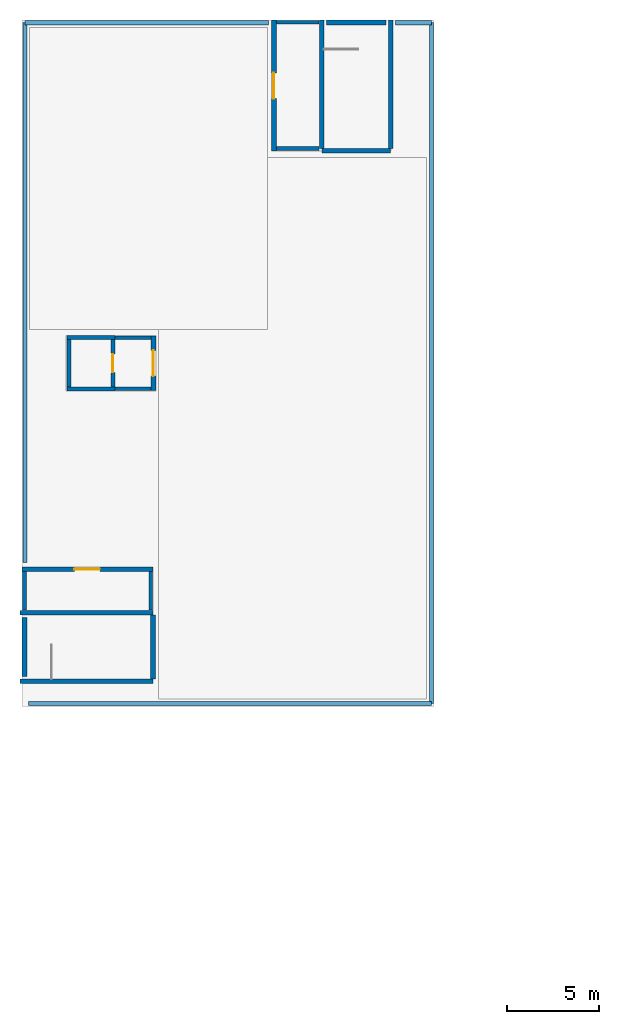
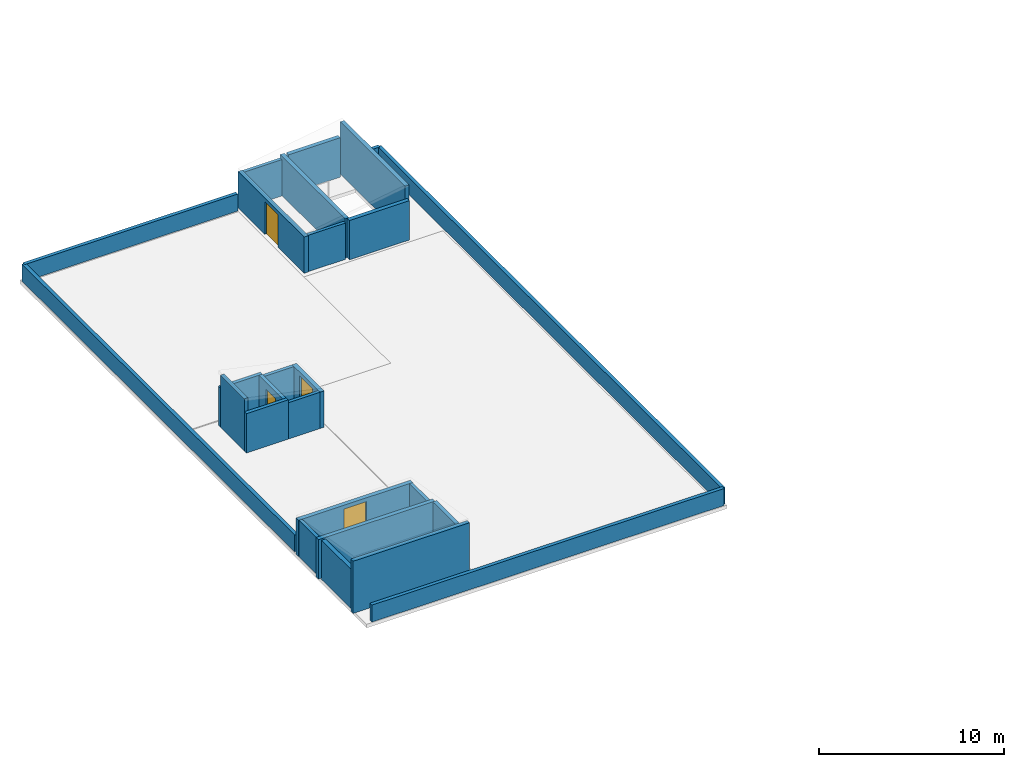
# One storey, part 14 of 17: 26 walls, 4 doors, 4 openings.
"""IFC4 building model written with IfcOpenShell, lengths in metres."""

from ifc_helpers import new_model, si_unit, direction, frame, frame_2d, origin, place, context, subcontext, project, spatial, rectangle, extrude, material, layer, layer_set, type_object, element, fill, save


model = new_model("IFC4")

# Units and contexts
model_context = context("Model", 3, precision=1e-05, world=origin(), true_north=direction((0.0, 1.0)))
body_context = subcontext(model_context, "Body", "Model", "MODEL_VIEW")
ifc_project = project(units=[si_unit("LENGTHUNIT", "METRE"), si_unit("AREAUNIT", "SQUARE_METRE"), si_unit("VOLUMEUNIT", "CUBIC_METRE"), si_unit("PLANEANGLEUNIT", "RADIAN"), si_unit("MASSUNIT", "GRAM", prefix="KILO")], contexts=[model_context])

# Site, building, storey
site_placement = place(None, origin())
site = spatial("IfcSite", under=ifc_project, at=site_placement, CompositionType="ELEMENT")
building_placement = place(site_placement, origin())
building = spatial("IfcBuilding", under=site, at=building_placement, Name="Qasida Concert Hall", CompositionType="ELEMENT")
storey_placement = place(building_placement, frame((0.0, 0.0, 25.199951171875)))
storey = spatial("IfcBuildingStorey", under=building, at=storey_placement, Name="RF", CompositionType="ELEMENT", Elevation=25.199951171875)

# Walls
ifc_material_1 = material(Name="Concrete C40/50", Category="concrete")
ifc_layer_1 = layer(ifc_material_1, 0.219970703125, Name="Concrete C40/50")
ifc_layer_set_1 = layer_set([ifc_layer_1], Name="Concrete C40/50")
wall_type_1 = type_object("IfcWallType", Name="WL-CW-220", PredefinedType="SOLIDWALL", material=ifc_layer_set_1)
for number, where, z_axis, x_axis, name in (
    (1, (2.43994140625, 92.35009765625, 0.0), (0.0, 0.0, 1.0), (1.0, 0.0, 0.0), "RF LF-07 lift shaft wall S"),
    (2, (2.43994140625, 95.14990234375, 0.0), (0.0, 0.0, 1.0), (1.0, 0.0, 0.0), "RF LF-07 lift shaft wall N"),
):
    element("IfcWall", number, at=place(storey_placement, frame(where, z_axis=z_axis, x_axis=x_axis)), inside=storey, type_object=wall_type_1, Name=name, PredefinedType="SOLIDWALL", context=body_context, shape_type="SweptSolid", body=[
        extrude(rectangle(XDim=2.6201171875, YDim=0.219970703125, at=frame_2d((1.31005859375, 0.0))), origin(), (0.0, 0.0, 1.0), 2.60009765625),
    ])
wall_1_placement = place(storey_placement, frame((2.550048828125, 92.4599609375, 0.0), z_axis=(0.0, 0.0, 1.0), x_axis=(0.0, 1.0, 0.0)))
element("IfcWall", 3, at=wall_1_placement, inside=storey, type_object=wall_type_1, Name="RF LF-07 lift shaft wall W", PredefinedType="SOLIDWALL", context=body_context, shape_type="SweptSolid", body=[
    extrude(rectangle(XDim=2.580078125, YDim=0.219970703125, at=frame_2d((1.2900390625, 0.0))), origin(), (0.0, 0.0, 1.0), 3.449951171875),
])

# Wall, opening, door
wall_2_placement = place(storey_placement, frame((4.949951171875, 92.4599609375, 0.0), z_axis=(0.0, 0.0, 1.0), x_axis=(0.0, 1.0, 0.0)))
wall_2 = element("IfcWall", 4, at=wall_2_placement, inside=storey, type_object=wall_type_1, Name="RF LF-07 lift shaft wall E", PredefinedType="SOLIDWALL", context=body_context, shape_type="SweptSolid", body=[
    extrude(rectangle(XDim=2.580078125, YDim=0.219970703125, at=frame_2d((1.2900390625, 0.0))), origin(), (0.0, 0.0, 1.0), 2.60009765625),
])
opening_1_placement = place(wall_2_placement, frame((0.7900390625, 0.0, 0.0)))
opening_1 = element("IfcOpeningElement", 5, at=opening_1_placement, cuts=wall_2, Name="Opening LD-100", PredefinedType="OPENING", context=body_context, shape_type="SweptSolid", body=[
    extrude(rectangle(XDim=1.0, YDim=2.14990234375, at=frame_2d((0.5, 1.074951171875))), frame((0.0, 0.119873046875, 0.0), z_axis=(0.0, -1.0, 0.0), x_axis=(1.0, 0.0, 0.0)), (0.0, 0.0, 1.0), 0.239990234375),
])
ifc_material_2 = material(Name="Brushed bronze passenger lift landing door", Category="steel")
door_type_1 = type_object("IfcDoorType", Name="LD-100", OperationType="SLIDING_TO_LEFT", PredefinedType="DOOR", material=ifc_material_2)
door_1_placement = place(opening_1_placement, origin())
door_1 = element("IfcDoor", 6, at=door_1_placement, inside=storey, type_object=door_type_1, Name="Lift landing door LF-07 RF", OperationType="SLIDING_TO_LEFT", OverallHeight=2.14990234375, OverallWidth=1.0, PredefinedType="DOOR", context=body_context, shape_type="SweptSolid", body=[
    extrude(rectangle(XDim=1.0, YDim=2.14990234375, at=frame_2d((0.5, 1.074951171875))), frame((0.0, 0.02490234375, 0.0), z_axis=(0.0, -1.0, 0.0), x_axis=(1.0, 0.0, 0.0)), (0.0, 0.0, 1.0), 0.050048828125),
])
fill(opening_1, door_1)

# Walls
ifc_layer_2 = layer(ifc_material_1, 0.25, Name="Concrete C40/50")
ifc_layer_set_2 = layer_set([ifc_layer_2], Name="Concrete C40/50")
wall_type_2 = type_object("IfcWallType", Name="WL-CW-250", PredefinedType="SOLIDWALL", material=ifc_layer_set_2)
wall_3_placement = place(storey_placement, frame((-0.1201171875, 76.375, 0.0), z_axis=(0.0, 0.0, 1.0), x_axis=(1.0, 0.0, 0.0)))
element("IfcWall", 7, at=wall_3_placement, inside=storey, type_object=wall_type_2, Name="RF ST-05 stairwell wall S", PredefinedType="SOLIDWALL", context=body_context, shape_type="SweptSolid", body=[
    extrude(rectangle(XDim=7.260009765625, YDim=0.25, at=frame_2d((3.6298828125, 0.0))), origin(), (0.0, 0.0, 1.0), 3.449951171875),
])
wall_4_placement = place(storey_placement, frame((-0.1201171875, 80.125, 0.0), z_axis=(0.0, 0.0, 1.0), x_axis=(1.0, 0.0, 0.0)))
element("IfcWall", 8, at=wall_4_placement, inside=storey, type_object=wall_type_2, Name="RF ST-05 stairwell wall N", PredefinedType="SOLIDWALL", context=body_context, shape_type="SweptSolid", body=[
    extrude(rectangle(XDim=7.260009765625, YDim=0.25, at=frame_2d((3.6298828125, 0.0))), origin(), (0.0, 0.0, 1.0), 2.60009765625),
])
wall_5_placement = place(storey_placement, frame((7.14501953125, 76.5, 0.0), z_axis=(0.0, 0.0, 1.0), x_axis=(0.0, 1.0, 0.0)))
element("IfcWall", 9, at=wall_5_placement, inside=storey, type_object=wall_type_2, Name="RF ST-05 stairwell wall E", PredefinedType="SOLIDWALL", context=body_context, shape_type="SweptSolid", body=[
    extrude(rectangle(XDim=3.5, YDim=0.25, at=frame_2d((1.75, 0.0))), origin(), (0.0, 0.0, 1.0), 2.60009765625),
])
wall_6_placement = place(storey_placement, frame((16.3798828125, 105.35498046875, 0.0), z_axis=(0.0, 0.0, 1.0), x_axis=(1.0, 0.0, 0.0)))
element("IfcWall", 10, at=wall_6_placement, inside=storey, type_object=wall_type_2, Name="RF ST-06 stairwell wall S", PredefinedType="SOLIDWALL", context=body_context, shape_type="SweptSolid", body=[
    extrude(rectangle(XDim=3.740234375, YDim=0.25, at=frame_2d((1.8701171875, 0.0))), origin(), (0.0, 0.0, 1.0), 2.60009765625),
])
wall_7_placement = place(storey_placement, frame((16.375, 105.47998046875, 0.0), z_axis=(0.0, 0.0, 1.0), x_axis=(0.0, 1.0, 0.0)))
element("IfcWall", 11, at=wall_7_placement, inside=storey, type_object=wall_type_2, Name="RF ST-06 stairwell wall W", PredefinedType="SOLIDWALL", context=body_context, shape_type="SweptSolid", body=[
    extrude(rectangle(XDim=7.02001953125, YDim=0.25, at=frame_2d((3.510009765625, 0.0))), origin(), (0.0, 0.0, 1.0), 2.60009765625),
])
wall_8_placement = place(storey_placement, frame((20.125, 105.47998046875, 0.0), z_axis=(0.0, 0.0, 1.0), x_axis=(0.0, 1.0, 0.0)))
element("IfcWall", 12, at=wall_8_placement, inside=storey, type_object=wall_type_2, Name="RF ST-06 stairwell wall E", PredefinedType="SOLIDWALL", context=body_context, shape_type="SweptSolid", body=[
    extrude(rectangle(XDim=7.02001953125, YDim=0.25, at=frame_2d((3.510009765625, 0.0))), origin(), (0.0, 0.0, 1.0), 3.449951171875),
])
ifc_material_3 = material(Name="Precast concrete C40/50", Category="concrete")
ifc_layer_3 = layer(ifc_material_3, 0.260009765625, Name="Precast concrete C40/50")
ifc_layer_set_3 = layer_set([ifc_layer_3], Name="Precast concrete C40/50")
wall_type_3 = type_object("IfcWallType", Name="WL-EW-260", PredefinedType="SOLIDWALL", material=ifc_layer_set_3)
for number, where, z_axis, x_axis, name in (
    (13, (0.1298828125, 76.6298828125, 0.0), (0.0, 0.0, 1.0), (0.0, 1.0, 0.0), "RF ST-05 stairwell wall W"),
    (14, (16.6298828125, 112.3701171875, 0.0), (0.0, 0.0, 1.0), (1.0, 0.0, 0.0), "RF ST-06 stairwell wall N"),
):
    element("IfcWall", number, at=place(storey_placement, frame(where, z_axis=z_axis, x_axis=x_axis)), inside=storey, type_object=wall_type_3, Name=name, PredefinedType="SOLIDWALL", context=body_context, shape_type="SweptSolid", body=[
        extrude(rectangle(XDim=3.240234375, YDim=0.260009765625, at=frame_2d((1.6201171875, 0.0))), origin(), (0.0, 0.0, 1.0), 2.60009765625),
    ])

# Wall, opening, door
wall_9_placement = place(storey_placement, frame((0.0, 82.5, 0.0), z_axis=(0.0, 0.0, 1.0), x_axis=(1.0, 0.0, 0.0)))
wall_9 = element("IfcWall", 15, at=wall_9_placement, inside=storey, type_object=wall_type_3, Name="RF ST05 headhouse exterior wall", PredefinedType="SOLIDWALL", context=body_context, shape_type="SweptSolid", body=[
    extrude(rectangle(XDim=7.14501953125, YDim=0.260009765625, at=frame_2d((3.572509765625, 0.0))), origin(), (0.0, 0.0, 1.0), 2.400146484375),
])
opening_2_placement = place(wall_9_placement, frame((2.85009765625, 0.0, 0.0)))
opening_2 = element("IfcOpeningElement", 16, at=opening_2_placement, cuts=wall_9, Name="Opening ED-140", PredefinedType="OPENING", context=body_context, shape_type="SweptSolid", body=[
    extrude(rectangle(XDim=1.39990234375, YDim=2.14990234375, at=frame_2d((0.699951171875, 1.074951171875))), frame((0.0, 0.139892578125, 0.0), z_axis=(0.0, -1.0, 0.0), x_axis=(1.0, 0.0, 0.0)), (0.0, 0.0, 1.0), 0.280029296875),
])
ifc_material_4 = material(Name="Patinated architectural bronze and laminated safety glass", Category="glass")
door_type_2 = type_object("IfcDoorType", Name="ED-140", OperationType="NOTDEFINED", PredefinedType="DOOR", material=ifc_material_4)
door_2_placement = place(opening_2_placement, origin())
door_2 = element("IfcDoor", 17, at=door_2_placement, inside=storey, type_object=door_type_2, Name="RF ST05 maintenance roof access door", OperationType="SINGLE_SWING_LEFT", OverallHeight=2.14990234375, OverallWidth=1.39990234375, PredefinedType="DOOR", context=body_context, shape_type="SweptSolid", body=[
    extrude(rectangle(XDim=1.39990234375, YDim=2.14990234375, at=frame_2d((0.699951171875, 1.074951171875))), frame((0.0, 0.02490234375, 0.0), z_axis=(0.0, -1.0, 0.0), x_axis=(1.0, 0.0, 0.0)), (0.0, 0.0, 1.0), 0.050048828125),
])
fill(opening_2, door_2)

wall_10_placement = place(storey_placement, frame((13.75, 105.35498046875, 0.0), z_axis=(0.0, 0.0, 1.0), x_axis=(0.0, 1.0, 0.0)))
wall_10 = element("IfcWall", 18, at=wall_10_placement, inside=storey, type_object=wall_type_3, Name="RF ST06 headhouse exterior wall", PredefinedType="SOLIDWALL", context=body_context, shape_type="SweptSolid", body=[
    extrude(rectangle(XDim=7.14501953125, YDim=0.260009765625, at=frame_2d((3.572509765625, 0.0))), origin(), (0.0, 0.0, 1.0), 2.400146484375),
])
opening_3_placement = place(wall_10_placement, frame((2.85009765625, 0.0, 0.0)))
opening_3 = element("IfcOpeningElement", 19, at=opening_3_placement, cuts=wall_10, Name="Opening ED-140", PredefinedType="OPENING", context=body_context, shape_type="SweptSolid", body=[
    extrude(rectangle(XDim=1.39990234375, YDim=2.14990234375, at=frame_2d((0.699951171875, 1.074951171875))), frame((0.0, 0.139892578125, 0.0), z_axis=(0.0, -1.0, 0.0), x_axis=(1.0, 0.0, 0.0)), (0.0, 0.0, 1.0), 0.280029296875),
])
door_3_placement = place(opening_3_placement, origin())
door_3 = element("IfcDoor", 20, at=door_3_placement, inside=storey, type_object=door_type_2, Name="RF ST06 maintenance roof access door", OperationType="SINGLE_SWING_RIGHT", OverallHeight=2.14990234375, OverallWidth=1.39990234375, PredefinedType="DOOR", context=body_context, shape_type="SweptSolid", body=[
    extrude(rectangle(XDim=1.39990234375, YDim=2.14990234375, at=frame_2d((0.699951171875, 1.074951171875))), frame((0.0, 0.02490234375, 0.0), z_axis=(0.0, -1.0, 0.0), x_axis=(1.0, 0.0, 0.0)), (0.0, 0.0, 1.0), 0.050048828125),
])
fill(opening_3, door_3)

wall_11_placement = place(storey_placement, frame((7.169921875, 92.25, 0.0), z_axis=(0.0, 0.0, 1.0), x_axis=(0.0, 1.0, 0.0)))
wall_11 = element("IfcWall", 21, at=wall_11_placement, inside=storey, type_object=wall_type_3, Name="RF LF-07 lift headhouse exterior wall", PredefinedType="SOLIDWALL", context=body_context, shape_type="SweptSolid", body=[
    extrude(rectangle(XDim=3.0, YDim=0.260009765625, at=frame_2d((1.5, 0.0))), origin(), (0.0, 0.0, 1.0), 2.400146484375),
])
opening_4_placement = place(wall_11_placement, frame((0.800048828125, 0.0, 0.0)))
opening_4 = element("IfcOpeningElement", 22, at=opening_4_placement, cuts=wall_11, Name="Opening ED-140", PredefinedType="OPENING", context=body_context, shape_type="SweptSolid", body=[
    extrude(rectangle(XDim=1.39990234375, YDim=2.14990234375, at=frame_2d((0.699951171875, 1.074951171875))), frame((0.0, 0.139892578125, 0.0), z_axis=(0.0, -1.0, 0.0), x_axis=(1.0, 0.0, 0.0)), (0.0, 0.0, 1.0), 0.280029296875),
])
door_4_placement = place(opening_4_placement, frame((1.39990234375, 0.0, 0.0), z_axis=(0.0, 0.0, 1.0), x_axis=(-1.0, 0.0, 0.0)))
door_4 = element("IfcDoor", 23, at=door_4_placement, inside=storey, type_object=door_type_2, Name="RF LF-07 maintenance roof access door", OperationType="SINGLE_SWING_LEFT", OverallHeight=2.14990234375, OverallWidth=1.39990234375, PredefinedType="DOOR", context=body_context, shape_type="SweptSolid", body=[
    extrude(rectangle(XDim=1.39990234375, YDim=2.14990234375, at=frame_2d((0.699951171875, 1.074951171875))), frame((0.0, 0.02490234375, 0.0), z_axis=(0.0, -1.0, 0.0), x_axis=(1.0, 0.0, 0.0)), (0.0, 0.0, 1.0), 0.050048828125),
])
fill(opening_4, door_4)

# Walls
ifc_layer_4 = layer(ifc_material_3, 0.219970703125, Name="Precast concrete C40/50")
ifc_layer_set_4 = layer_set([ifc_layer_4], Name="Precast concrete C40/50")
wall_type_4 = type_object("IfcWallType", Name="WL-PR-220", PredefinedType="PARAPET", material=ifc_layer_set_4)
wall_12_placement = place(storey_placement, frame((0.35009765625, 75.14990234375, 0.0), z_axis=(0.0, 0.0, 1.0), x_axis=(1.0, 0.0, 0.0)))
element("IfcWall", 24, at=wall_12_placement, inside=storey, type_object=wall_type_4, Name="RF stepped roof parapet PR-220 009", PredefinedType="PARAPET", context=body_context, shape_type="SweptSolid", body=[
    extrude(rectangle(XDim=22.0, YDim=0.219970703125, at=frame_2d((11.0, 0.0))), origin(), (0.0, 0.0, 1.0), 1.1201171875),
])
wall_13_placement = place(storey_placement, frame((22.35009765625, 75.14990234375, 0.0), z_axis=(0.0, 0.0, 1.0), x_axis=(0.0, 1.0, 0.0)))
element("IfcWall", 25, at=wall_13_placement, inside=storey, type_object=wall_type_4, Name="RF stepped roof parapet PR-220 010", PredefinedType="PARAPET", context=body_context, shape_type="SweptSolid", body=[
    extrude(rectangle(XDim=37.2001953125, YDim=0.219970703125, at=frame_2d((18.60009765625, 0.0))), origin(), (0.0, 0.0, 1.0), 1.1201171875),
])
wall_14_placement = place(storey_placement, frame((22.35009765625, 112.35009765625, 0.0), z_axis=(0.0, 0.0, 1.0), x_axis=(-1.0, 0.0, 0.0)))
element("IfcWall", 26, at=wall_14_placement, inside=storey, type_object=wall_type_4, Name="RF stepped roof parapet PR-220 011", PredefinedType="PARAPET", context=body_context, shape_type="SweptSolid", body=[
    extrude(rectangle(XDim=1.9501953125, YDim=0.219970703125, at=frame_2d((0.97509765625, 0.0))), origin(), (0.0, 0.0, 1.0), 1.1201171875),
])
wall_15_placement = place(storey_placement, frame((13.449951171875, 112.35009765625, 0.0), z_axis=(0.0, 0.0, 1.0), x_axis=(-1.0, 0.0, 0.0)))
element("IfcWall", 27, at=wall_15_placement, inside=storey, type_object=wall_type_4, Name="RF stepped roof parapet PR-220 012", PredefinedType="PARAPET", context=body_context, shape_type="SweptSolid", body=[
    extrude(rectangle(XDim=13.300048828125, YDim=0.219970703125, at=frame_2d((6.64990234375, 0.0))), origin(), (0.0, 0.0, 1.0), 1.1201171875),
])
wall_16_placement = place(storey_placement, frame((0.14990234375, 112.35009765625, 0.0), z_axis=(0.0, 0.0, 1.0), x_axis=(0.0, -1.0, 0.0)))
element("IfcWall", 28, at=wall_16_placement, inside=storey, type_object=wall_type_4, Name="RF stepped roof parapet PR-220 013", PredefinedType="PARAPET", context=body_context, shape_type="SweptSolid", body=[
    extrude(rectangle(XDim=29.5, YDim=0.219970703125, at=frame_2d((14.75, 0.0))), origin(), (0.0, 0.0, 1.0), 1.1201171875),
])
ifc_material_5 = material(Name="Acoustic gypsum block and mineral wool", Category="gypsum")
ifc_layer_5 = layer(ifc_material_5, 0.199951171875, Name="Acoustic gypsum block and mineral wool")
ifc_layer_set_5 = layer_set([ifc_layer_5], Name="Acoustic gypsum block and mineral wool")
wall_type_5 = type_object("IfcWallType", Name="WL-PW-200", PredefinedType="PARTITIONING", material=ifc_layer_set_5)
for number, where, z_axis, x_axis, name in (
    (29, (0.125, 80.280029296875, 0.0), (0.0, 0.0, 1.0), (0.0, 1.0, 0.0), "RF ST05 headhouse vestibule partition 1"),
    (30, (7.02001953125, 80.280029296875, 0.0), (0.0, 0.0, 1.0), (0.0, 1.0, 0.0), "RF ST05 headhouse vestibule partition 2"),
):
    element("IfcWall", number, at=place(storey_placement, frame(where, z_axis=z_axis, x_axis=x_axis)), inside=storey, type_object=wall_type_5, Name=name, PredefinedType="PARTITIONING", context=body_context, shape_type="SweptSolid", body=[
        extrude(rectangle(XDim=2.090087890625, YDim=0.199951171875, at=frame_2d((1.044921875, 0.0))), origin(), (0.0, 0.0, 1.0), 2.400146484375),
    ])
for number, where, z_axis, x_axis, name in (
    (31, (13.8798828125, 105.47998046875, 0.0), (0.0, 0.0, 1.0), (1.0, 0.0, 0.0), "RF ST06 headhouse vestibule partition 1"),
    (32, (13.8798828125, 112.375, 0.0), (0.0, 0.0, 1.0), (1.0, 0.0, 0.0), "RF ST06 headhouse vestibule partition 2"),
):
    element("IfcWall", number, at=place(storey_placement, frame(where, z_axis=z_axis, x_axis=x_axis)), inside=storey, type_object=wall_type_5, Name=name, PredefinedType="PARTITIONING", context=body_context, shape_type="SweptSolid", body=[
        extrude(rectangle(XDim=2.340087890625, YDim=0.199951171875, at=frame_2d((1.169921875, 0.0))), origin(), (0.0, 0.0, 1.0), 2.400146484375),
    ])
for number, where, z_axis, x_axis, name in (
    (33, (5.080078125, 92.35009765625, 0.0), (0.0, 0.0, 1.0), (1.0, 0.0, 0.0), "RF LF-07 lift lobby partition 1"),
    (34, (5.080078125, 95.14990234375, 0.0), (0.0, 0.0, 1.0), (1.0, 0.0, 0.0), "RF LF-07 lift lobby partition 2"),
):
    element("IfcWall", number, at=place(storey_placement, frame(where, z_axis=z_axis, x_axis=x_axis)), inside=storey, type_object=wall_type_5, Name=name, PredefinedType="PARTITIONING", context=body_context, shape_type="SweptSolid", body=[
        extrude(rectangle(XDim=1.9599609375, YDim=0.199951171875, at=frame_2d((0.97998046875, 0.0))), origin(), (0.0, 0.0, 1.0), 2.400146484375),
    ])

save(model, "model.ifc")
